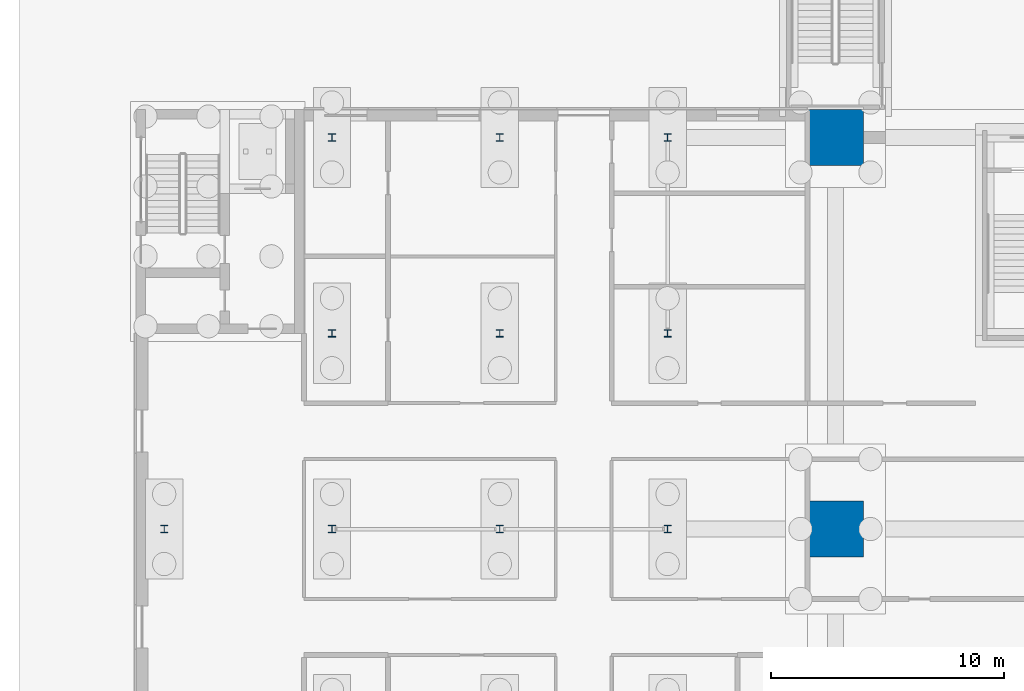
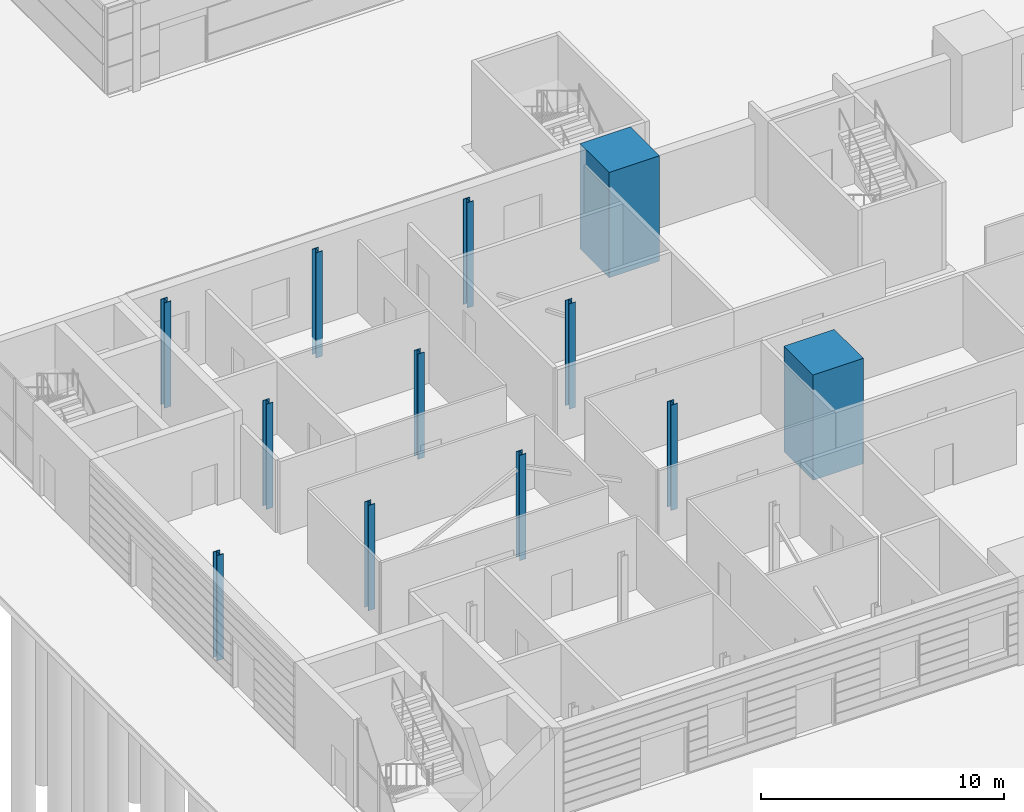
# One storey, part 10 of 139: 12 columns.
"""IFC4 building model written with IfcOpenShell, lengths in metres."""

from ifc_helpers import new_model, si_unit, direction, frame, origin, origin_2d, place, context, subcontext, project, spatial, rectangle, i_section, extrude, material, material_profile, profile_set, type_object, element, save


model = new_model("IFC4")

# Units and contexts
model_context = context("Model", 3, precision=1e-05, world=origin(), true_north=direction((0.0, 1.0)))
body_context = subcontext(model_context, "Body", "Model", "MODEL_VIEW")
ifc_project = project(units=[si_unit("LENGTHUNIT", "METRE"), si_unit("AREAUNIT", "SQUARE_METRE"), si_unit("VOLUMEUNIT", "CUBIC_METRE"), si_unit("PLANEANGLEUNIT", "RADIAN"), si_unit("MASSUNIT", "GRAM", prefix="KILO")], contexts=[model_context])

# Site, building, storey
site_placement = place(None, origin())
site = spatial("IfcSite", under=ifc_project, at=site_placement, CompositionType="ELEMENT")
building_placement = place(site_placement, origin())
building = spatial("IfcBuilding", under=site, at=building_placement, Name="Verrick Yard Athletic Hall", CompositionType="ELEMENT")
storey_placement = place(building_placement, origin())
storey = spatial("IfcBuildingStorey", under=building, at=storey_placement, Name="L00", CompositionType="ELEMENT", Elevation=0.0)

# Columns
ifc_material_1 = material(Name="Concrete 35 MPa", Category="concrete")
ifc_material_profile_1 = material_profile(ifc_material_1, rectangle(XDim=2.39990234375, YDim=2.39990234375, at=origin_2d()), Name="STR Buttress pier PR1")
ifc_profile_set_1 = profile_set([ifc_material_profile_1], Name="Concrete 35 MPa")
column_type_1 = type_object("IfcColumnType", Name="STR Buttress pier PR1", PredefinedType="COLUMN", material=ifc_profile_set_1)
for number, where, z_axis, x_axis, name in (
    (1, (40.0, 36.0, -0.89990234375), (0.0, 0.0, 1.0), (1.0, 0.0, 0.0), "Buttress pier P1B"),
    (2, (40.0, 52.800048828125, -0.89990234375), (0.0, 0.0, 1.0), (1.0, 0.0, 0.0), "Buttress pier P1C"),
):
    element("IfcColumn", number, at=place(storey_placement, frame(where, z_axis=z_axis, x_axis=x_axis)), inside=storey, type_object=column_type_1, Name=name, PredefinedType="COLUMN", context=body_context, shape_type="SweptSolid", body=[
        extrude(rectangle(XDim=2.39990234375, YDim=2.39990234375, at=origin_2d()), origin(), (0.0, 0.0, 1.0), 5.2998046875),
    ])
ifc_material_2 = material(Name="Structural steel 350W (CSA G40.21)", Category="steel")
ifc_material_profile_2 = material_profile(ifc_material_2, i_section(OverallWidth=0.30908203125, OverallDepth=0.322998046875, WebThickness=0.013916015625, FlangeThickness=0.02294921875, at=origin_2d()), Name="W310x143")
ifc_profile_set_2 = profile_set([ifc_material_profile_2], Name="Structural steel 350W (CSA G40.21)")
column_type_2 = type_object("IfcColumnType", Name="STR Wing column W310x143", PredefinedType="COLUMN", material=ifc_profile_set_2)
for number, where, z_axis, x_axis, name in (
    (3, (11.199951171875, 36.0, -0.89990234375), (0.0, 0.0, 1.0), (1.0, 0.0, 0.0), "Wing column WC13"),
    (4, (18.39990234375, 36.0, -0.89990234375), (0.0, 0.0, 1.0), (1.0, 0.0, 0.0), "Wing column WC23"),
    (5, (18.39990234375, 44.39990234375, -0.89990234375), (0.0, 0.0, 1.0), (1.0, 0.0, 0.0), "Wing column WC24"),
    (6, (18.39990234375, 52.800048828125, -0.89990234375), (0.0, 0.0, 1.0), (1.0, 0.0, 0.0), "Wing column WC25"),
    (7, (25.60009765625, 36.0, -0.89990234375), (0.0, 0.0, 1.0), (1.0, 0.0, 0.0), "Wing column WC33"),
    (8, (25.60009765625, 44.39990234375, -0.89990234375), (0.0, 0.0, 1.0), (1.0, 0.0, 0.0), "Wing column WC34"),
    (9, (25.60009765625, 52.800048828125, -0.89990234375), (0.0, 0.0, 1.0), (1.0, 0.0, 0.0), "Wing column WC35"),
    (10, (32.800048828125, 36.0, -0.89990234375), (0.0, 0.0, 1.0), (1.0, 0.0, 0.0), "Wing column WC43"),
    (11, (32.800048828125, 44.39990234375, -0.89990234375), (0.0, 0.0, 1.0), (1.0, 0.0, 0.0), "Wing column WC44"),
    (12, (32.800048828125, 52.800048828125, -0.89990234375), (0.0, 0.0, 1.0), (1.0, 0.0, 0.0), "Wing column WC45"),
):
    element("IfcColumn", number, at=place(storey_placement, frame(where, z_axis=z_axis, x_axis=x_axis)), inside=storey, type_object=column_type_2, Name=name, PredefinedType="COLUMN", context=body_context, shape_type="SweptSolid", body=[
        extrude(i_section(OverallWidth=0.30908203125, OverallDepth=0.322998046875, WebThickness=0.013916015625, FlangeThickness=0.02294921875, at=origin_2d()), origin(), (0.0, 0.0, 1.0), 5.2998046875),
    ])

save(model, "model.ifc")
